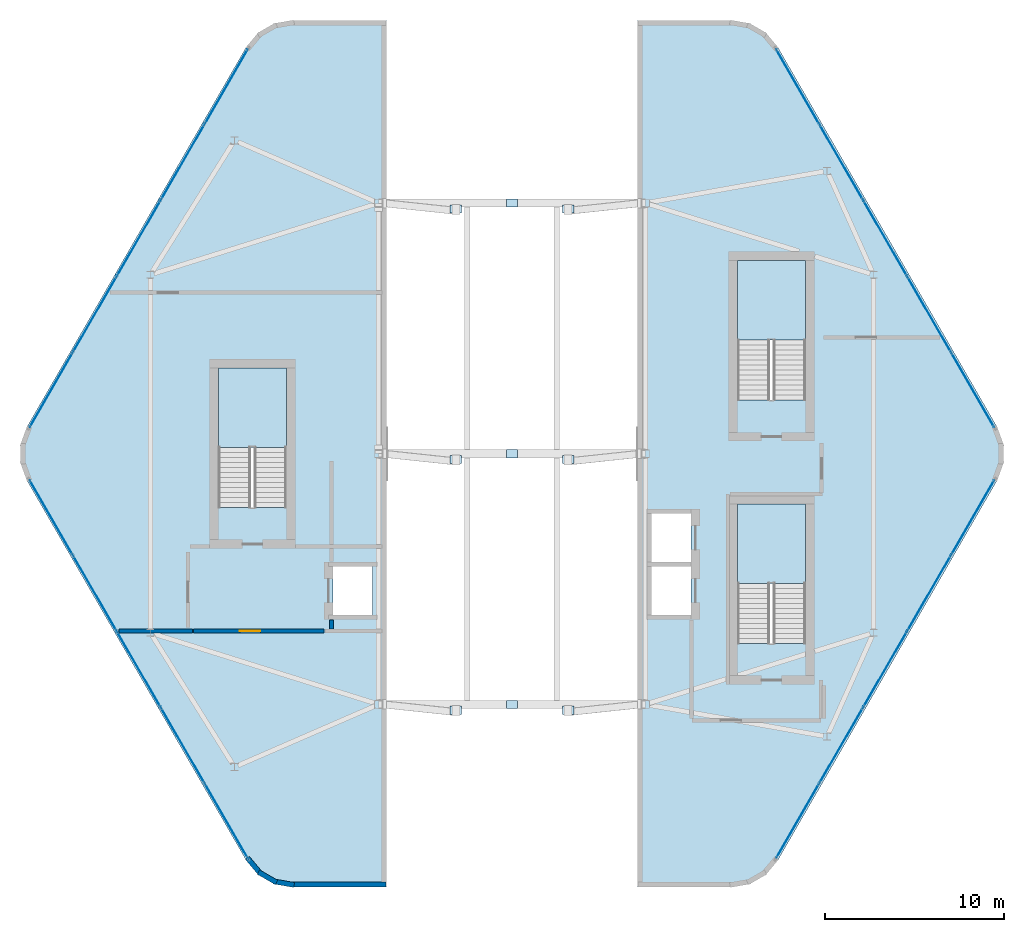
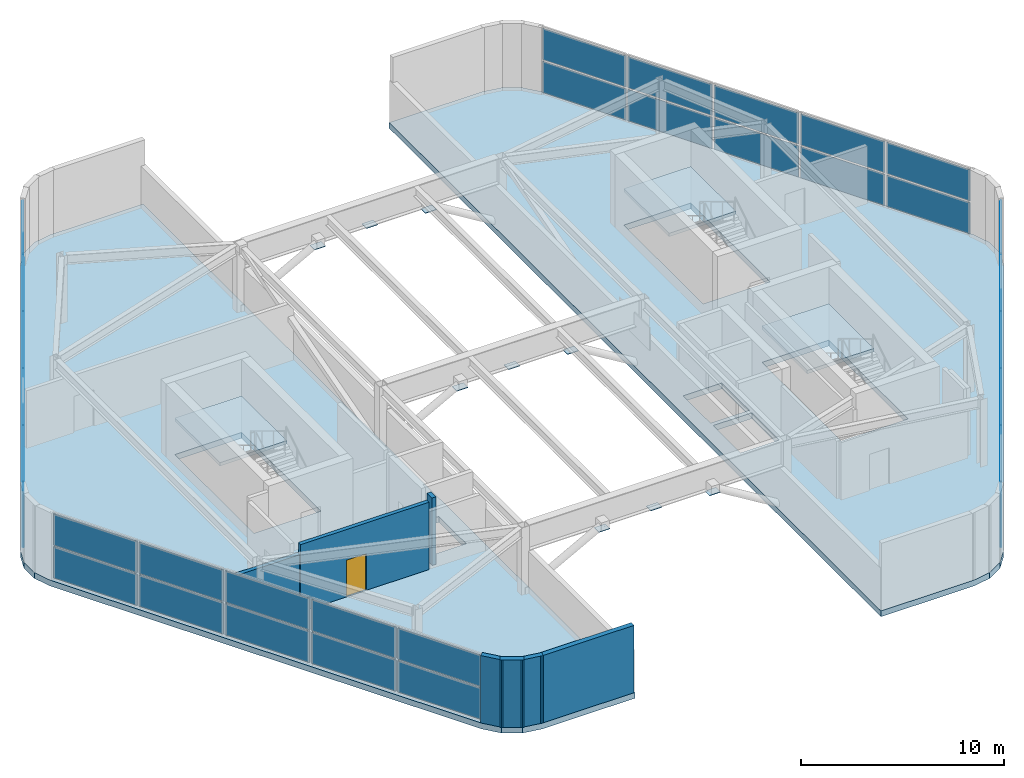
# One storey, part 13 of 16: 49 plates, 7 walls, 5 slabs, 1 door, 1 opening, 7 elements without a shape of their own.
"""IFC4 building model written with IfcOpenShell, lengths in metres."""

from ifc_helpers import new_model, si_unit, direction, frame, frame_2d, origin, origin_2d, place, context, subcontext, project, spatial, polyline, rectangle, outline, extrude, material, layer, layer_set, type_object, element, fill, aggregate, save


model = new_model("IFC4")

# Units and contexts
model_context = context("Model", 3, precision=1e-05, world=origin(), true_north=direction((0.0, 1.0)))
body_context = subcontext(model_context, "Body", "Model", "MODEL_VIEW")
ifc_project = project(units=[si_unit("LENGTHUNIT", "METRE"), si_unit("AREAUNIT", "SQUARE_METRE"), si_unit("VOLUMEUNIT", "CUBIC_METRE"), si_unit("PLANEANGLEUNIT", "RADIAN"), si_unit("MASSUNIT", "GRAM", prefix="KILO")], contexts=[model_context])

# Site, building, storey
site_placement = place(None, origin())
site = spatial("IfcSite", under=ifc_project, at=site_placement, CompositionType="ELEMENT")
building_placement = place(site_placement, origin())
building = spatial("IfcBuilding", under=site, at=building_placement, Name="Zuhravey Tower", CompositionType="ELEMENT")
storey_placement = place(building_placement, frame((0.0, 0.0, 374.60009765625)))
storey = spatial("IfcBuildingStorey", under=building, at=storey_placement, Name="L95", CompositionType="ELEMENT", Elevation=374.60009765625)

# Curtain wall, plates
ifc_material_1 = material(Name="Thermally broken anodised aluminium", Category="aluminium")
curtain_wall_type = type_object("IfcCurtainWallType", Name="Split-Top Crown Screened Curtain Wall CW6", PredefinedType="NOTDEFINED", material=ifc_material_1)
curtain_wall_1_placement = place(storey_placement, origin())
curtain_wall_1 = element("IfcCurtainWall", 1, at=curtain_wall_1_placement, inside=storey, type_object=curtain_wall_type, Name="L95 CW6 CW6-L95-WEST-04", PredefinedType="NOTDEFINED")
ifc_material_2 = material(Name="Bronze-anodised perforated girih aluminium", Category="aluminium")
ifc_layer_1 = layer(ifc_material_2, 0.035888671875)
ifc_layer_set_1 = layer_set([ifc_layer_1], Name="Bronze-anodised perforated girih aluminium")
plate_type_1 = type_object("IfcPlateType", Name="Girih Perforated Crown Panel", PredefinedType="CURTAIN_PANEL", material=ifc_layer_set_1)
plate_1_placement = place(storey_placement, frame((20.04443359375, 11.487548828125, 0.099853515625), z_axis=(0.0, 0.0, 1.0), x_axis=(-0.499997124838, 0.866027063754, 0.0)))
plate_1 = element("IfcPlate", 2, at=plate_1_placement, type_object=plate_type_1, Name="CW6 panel 1.1", PredefinedType="CURTAIN_PANEL", context=body_context, shape_type="SweptSolid", body=[
    extrude(rectangle(XDim=4.755859375, YDim=0.035888671875, at=origin_2d()), origin(), (0.0, 0.0, 1.0), 1.875),
])
plate_2_placement = place(storey_placement, frame((20.04443359375, 11.487548828125, 2.074951171875), z_axis=(0.0, 0.0, 1.0), x_axis=(-0.499997124838, 0.866027063754, 0.0)))
plate_2 = element("IfcPlate", 3, at=plate_2_placement, type_object=plate_type_1, Name="CW6 panel 1.2", PredefinedType="CURTAIN_PANEL", context=body_context, shape_type="SweptSolid", body=[
    extrude(rectangle(XDim=4.755859375, YDim=0.035888671875, at=origin_2d()), origin(), (0.0, 0.0, 1.0), 1.875),
])
plate_3_placement = place(storey_placement, frame((17.604248046875, 15.71435546875, 0.099853515625), z_axis=(0.0, 0.0, 1.0), x_axis=(-0.499997124838, 0.866027063754, 0.0)))
plate_3 = element("IfcPlate", 4, at=plate_3_placement, type_object=plate_type_1, Name="CW6 panel 2.1", PredefinedType="CURTAIN_PANEL", context=body_context, shape_type="SweptSolid", body=[
    extrude(rectangle(XDim=4.805908203125, YDim=0.035888671875, at=origin_2d()), origin(), (0.0, 0.0, 1.0), 1.875),
])
plate_4_placement = place(storey_placement, frame((17.604248046875, 15.71435546875, 2.074951171875), z_axis=(0.0, 0.0, 1.0), x_axis=(-0.499997124838, 0.866027063754, 0.0)))
plate_4 = element("IfcPlate", 5, at=plate_4_placement, type_object=plate_type_1, Name="CW6 panel 2.2", PredefinedType="CURTAIN_PANEL", context=body_context, shape_type="SweptSolid", body=[
    extrude(rectangle(XDim=4.805908203125, YDim=0.035888671875, at=origin_2d()), origin(), (0.0, 0.0, 1.0), 1.875),
])
plate_5_placement = place(storey_placement, frame((15.1513671875, 19.962890625, 0.099853515625), z_axis=(0.0, 0.0, 1.0), x_axis=(-0.499997124838, 0.866027063754, 0.0)))
plate_5 = element("IfcPlate", 6, at=plate_5_placement, type_object=plate_type_1, Name="CW6 panel 3.1", PredefinedType="CURTAIN_PANEL", context=body_context, shape_type="SweptSolid", body=[
    extrude(rectangle(XDim=4.805908203125, YDim=0.035888671875, at=origin_2d()), origin(), (0.0, 0.0, 1.0), 1.875),
])
plate_6_placement = place(storey_placement, frame((15.1513671875, 19.962890625, 2.074951171875), z_axis=(0.0, 0.0, 1.0), x_axis=(-0.499997124838, 0.866027063754, 0.0)))
plate_6 = element("IfcPlate", 7, at=plate_6_placement, type_object=plate_type_1, Name="CW6 panel 3.2", PredefinedType="CURTAIN_PANEL", context=body_context, shape_type="SweptSolid", body=[
    extrude(rectangle(XDim=4.805908203125, YDim=0.035888671875, at=origin_2d()), origin(), (0.0, 0.0, 1.0), 1.875),
])
plate_7_placement = place(storey_placement, frame((12.6982421875, 24.21142578125, 0.099853515625), z_axis=(0.0, 0.0, 1.0), x_axis=(-0.499997124838, 0.866027063754, 0.0)))
plate_7 = element("IfcPlate", 8, at=plate_7_placement, type_object=plate_type_1, Name="CW6 panel 4.1", PredefinedType="CURTAIN_PANEL", context=body_context, shape_type="SweptSolid", body=[
    extrude(rectangle(XDim=4.805908203125, YDim=0.035888671875, at=origin_2d()), origin(), (0.0, 0.0, 1.0), 1.875),
])
plate_8_placement = place(storey_placement, frame((12.6982421875, 24.21142578125, 2.074951171875), z_axis=(0.0, 0.0, 1.0), x_axis=(-0.499997124838, 0.866027063754, 0.0)))
plate_8 = element("IfcPlate", 9, at=plate_8_placement, type_object=plate_type_1, Name="CW6 panel 4.2", PredefinedType="CURTAIN_PANEL", context=body_context, shape_type="SweptSolid", body=[
    extrude(rectangle(XDim=4.805908203125, YDim=0.035888671875, at=origin_2d()), origin(), (0.0, 0.0, 1.0), 1.875),
])
plate_9_placement = place(storey_placement, frame((10.258056640625, 28.4384765625, 0.099853515625), z_axis=(0.0, 0.0, 1.0), x_axis=(-0.499997124838, 0.866027063754, 0.0)))
plate_9 = element("IfcPlate", 10, at=plate_9_placement, type_object=plate_type_1, Name="CW6 panel 5.1", PredefinedType="CURTAIN_PANEL", context=body_context, shape_type="SweptSolid", body=[
    extrude(rectangle(XDim=4.755859375, YDim=0.035888671875, at=origin_2d()), origin(), (0.0, 0.0, 1.0), 1.875),
])
plate_10_placement = place(storey_placement, frame((10.258056640625, 28.4384765625, 2.074951171875), z_axis=(0.0, 0.0, 1.0), x_axis=(-0.499997124838, 0.866027063754, 0.0)))
plate_10 = element("IfcPlate", 11, at=plate_10_placement, type_object=plate_type_1, Name="CW6 panel 5.2", PredefinedType="CURTAIN_PANEL", context=body_context, shape_type="SweptSolid", body=[
    extrude(rectangle(XDim=4.755859375, YDim=0.035888671875, at=origin_2d()), origin(), (0.0, 0.0, 1.0), 1.875),
])
aggregate(curtain_wall_1, [plate_1, plate_2, plate_3, plate_4, plate_5, plate_6, plate_7, plate_8, plate_9, plate_10])

curtain_wall_2_placement = place(storey_placement, origin())
curtain_wall_2 = element("IfcCurtainWall", 12, at=curtain_wall_2_placement, inside=storey, type_object=curtain_wall_type, Name="L95 CW6 CW6-L95-WEST-08", PredefinedType="NOTDEFINED")
plate_11_placement = place(storey_placement, frame((10.258056640625, 35.5615234375, 0.099853515625), z_axis=(0.0, 0.0, 1.0), x_axis=(0.499997124838, 0.866027063754, 0.0)))
plate_11 = element("IfcPlate", 13, at=plate_11_placement, type_object=plate_type_1, Name="CW6 panel 1.1", PredefinedType="CURTAIN_PANEL", context=body_context, shape_type="SweptSolid", body=[
    extrude(rectangle(XDim=4.755859375, YDim=0.035888671875, at=origin_2d()), origin(), (0.0, 0.0, 1.0), 1.875),
])
plate_12_placement = place(storey_placement, frame((10.258056640625, 35.5615234375, 2.074951171875), z_axis=(0.0, 0.0, 1.0), x_axis=(0.499997124838, 0.866027063754, 0.0)))
plate_12 = element("IfcPlate", 14, at=plate_12_placement, type_object=plate_type_1, Name="CW6 panel 1.2", PredefinedType="CURTAIN_PANEL", context=body_context, shape_type="SweptSolid", body=[
    extrude(rectangle(XDim=4.755859375, YDim=0.035888671875, at=origin_2d()), origin(), (0.0, 0.0, 1.0), 1.875),
])
plate_13_placement = place(storey_placement, frame((12.6982421875, 39.78857421875, 0.099853515625), z_axis=(0.0, 0.0, 1.0), x_axis=(0.499997124838, 0.866027063754, 0.0)))
plate_13 = element("IfcPlate", 15, at=plate_13_placement, type_object=plate_type_1, Name="CW6 panel 2.1", PredefinedType="CURTAIN_PANEL", context=body_context, shape_type="SweptSolid", body=[
    extrude(rectangle(XDim=4.805908203125, YDim=0.035888671875, at=origin_2d()), origin(), (0.0, 0.0, 1.0), 1.875),
])
plate_14_placement = place(storey_placement, frame((12.6982421875, 39.78857421875, 2.074951171875), z_axis=(0.0, 0.0, 1.0), x_axis=(0.499997124838, 0.866027063754, 0.0)))
plate_14 = element("IfcPlate", 16, at=plate_14_placement, type_object=plate_type_1, Name="CW6 panel 2.2", PredefinedType="CURTAIN_PANEL", context=body_context, shape_type="SweptSolid", body=[
    extrude(rectangle(XDim=4.805908203125, YDim=0.035888671875, at=origin_2d()), origin(), (0.0, 0.0, 1.0), 1.875),
])
plate_15_placement = place(storey_placement, frame((15.1513671875, 44.037109375, 0.099853515625), z_axis=(0.0, 0.0, 1.0), x_axis=(0.499997124838, 0.866027063754, 0.0)))
plate_15 = element("IfcPlate", 17, at=plate_15_placement, type_object=plate_type_1, Name="CW6 panel 3.1", PredefinedType="CURTAIN_PANEL", context=body_context, shape_type="SweptSolid", body=[
    extrude(rectangle(XDim=4.805908203125, YDim=0.035888671875, at=origin_2d()), origin(), (0.0, 0.0, 1.0), 1.875),
])
plate_16_placement = place(storey_placement, frame((15.1513671875, 44.037109375, 2.074951171875), z_axis=(0.0, 0.0, 1.0), x_axis=(0.499997124838, 0.866027063754, 0.0)))
plate_16 = element("IfcPlate", 18, at=plate_16_placement, type_object=plate_type_1, Name="CW6 panel 3.2", PredefinedType="CURTAIN_PANEL", context=body_context, shape_type="SweptSolid", body=[
    extrude(rectangle(XDim=4.805908203125, YDim=0.035888671875, at=origin_2d()), origin(), (0.0, 0.0, 1.0), 1.875),
])
plate_17_placement = place(storey_placement, frame((17.604248046875, 48.28564453125, 0.099853515625), z_axis=(0.0, 0.0, 1.0), x_axis=(0.499997124838, 0.866027063754, 0.0)))
plate_17 = element("IfcPlate", 19, at=plate_17_placement, type_object=plate_type_1, Name="CW6 panel 4.1", PredefinedType="CURTAIN_PANEL", context=body_context, shape_type="SweptSolid", body=[
    extrude(rectangle(XDim=4.805908203125, YDim=0.035888671875, at=origin_2d()), origin(), (0.0, 0.0, 1.0), 1.875),
])
plate_18_placement = place(storey_placement, frame((17.604248046875, 48.28564453125, 2.074951171875), z_axis=(0.0, 0.0, 1.0), x_axis=(0.499997124838, 0.866027063754, 0.0)))
plate_18 = element("IfcPlate", 20, at=plate_18_placement, type_object=plate_type_1, Name="CW6 panel 4.2", PredefinedType="CURTAIN_PANEL", context=body_context, shape_type="SweptSolid", body=[
    extrude(rectangle(XDim=4.805908203125, YDim=0.035888671875, at=origin_2d()), origin(), (0.0, 0.0, 1.0), 1.875),
])
plate_19_placement = place(storey_placement, frame((20.04443359375, 52.512451171875, 0.099853515625), z_axis=(0.0, 0.0, 1.0), x_axis=(0.499997124838, 0.866027063754, 0.0)))
plate_19 = element("IfcPlate", 21, at=plate_19_placement, type_object=plate_type_1, Name="CW6 panel 5.1", PredefinedType="CURTAIN_PANEL", context=body_context, shape_type="SweptSolid", body=[
    extrude(rectangle(XDim=4.755859375, YDim=0.035888671875, at=origin_2d()), origin(), (0.0, 0.0, 1.0), 1.875),
])
plate_20_placement = place(storey_placement, frame((20.04443359375, 52.512451171875, 2.074951171875), z_axis=(0.0, 0.0, 1.0), x_axis=(0.499997124838, 0.866027063754, 0.0)))
plate_20 = element("IfcPlate", 22, at=plate_20_placement, type_object=plate_type_1, Name="CW6 panel 5.2", PredefinedType="CURTAIN_PANEL", context=body_context, shape_type="SweptSolid", body=[
    extrude(rectangle(XDim=4.755859375, YDim=0.035888671875, at=origin_2d()), origin(), (0.0, 0.0, 1.0), 1.875),
])
aggregate(curtain_wall_2, [plate_11, plate_12, plate_13, plate_14, plate_15, plate_16, plate_17, plate_18, plate_19, plate_20])

curtain_wall_3_placement = place(storey_placement, origin())
curtain_wall_3 = element("IfcCurtainWall", 23, at=curtain_wall_3_placement, inside=storey, type_object=curtain_wall_type, Name="L95 CW6 CW6-L95-EAST-04", PredefinedType="NOTDEFINED")
plate_21_placement = place(storey_placement, frame((51.95556640625, 52.512451171875, 0.099853515625), z_axis=(0.0, 0.0, 1.0), x_axis=(0.499997124838, -0.866027063754, 0.0)))
plate_21 = element("IfcPlate", 24, at=plate_21_placement, type_object=plate_type_1, Name="CW6 panel 1.1", PredefinedType="CURTAIN_PANEL", context=body_context, shape_type="SweptSolid", body=[
    extrude(rectangle(XDim=4.755859375, YDim=0.035888671875, at=origin_2d()), origin(), (0.0, 0.0, 1.0), 1.875),
])
plate_22_placement = place(storey_placement, frame((51.95556640625, 52.512451171875, 2.074951171875), z_axis=(0.0, 0.0, 1.0), x_axis=(0.499997124838, -0.866027063754, 0.0)))
plate_22 = element("IfcPlate", 25, at=plate_22_placement, type_object=plate_type_1, Name="CW6 panel 1.2", PredefinedType="CURTAIN_PANEL", context=body_context, shape_type="SweptSolid", body=[
    extrude(rectangle(XDim=4.755859375, YDim=0.035888671875, at=origin_2d()), origin(), (0.0, 0.0, 1.0), 1.875),
])
plate_23_placement = place(storey_placement, frame((54.395751953125, 48.28564453125, 0.099853515625), z_axis=(0.0, 0.0, 1.0), x_axis=(0.499997124838, -0.866027063754, 0.0)))
plate_23 = element("IfcPlate", 26, at=plate_23_placement, type_object=plate_type_1, Name="CW6 panel 2.1", PredefinedType="CURTAIN_PANEL", context=body_context, shape_type="SweptSolid", body=[
    extrude(rectangle(XDim=4.805908203125, YDim=0.035888671875, at=origin_2d()), origin(), (0.0, 0.0, 1.0), 1.875),
])
plate_24_placement = place(storey_placement, frame((54.395751953125, 48.28564453125, 2.074951171875), z_axis=(0.0, 0.0, 1.0), x_axis=(0.499997124838, -0.866027063754, 0.0)))
plate_24 = element("IfcPlate", 27, at=plate_24_placement, type_object=plate_type_1, Name="CW6 panel 2.2", PredefinedType="CURTAIN_PANEL", context=body_context, shape_type="SweptSolid", body=[
    extrude(rectangle(XDim=4.805908203125, YDim=0.035888671875, at=origin_2d()), origin(), (0.0, 0.0, 1.0), 1.875),
])
plate_25_placement = place(storey_placement, frame((56.8486328125, 44.037109375, 0.099853515625), z_axis=(0.0, 0.0, 1.0), x_axis=(0.499997124838, -0.866027063754, 0.0)))
plate_25 = element("IfcPlate", 28, at=plate_25_placement, type_object=plate_type_1, Name="CW6 panel 3.1", PredefinedType="CURTAIN_PANEL", context=body_context, shape_type="SweptSolid", body=[
    extrude(rectangle(XDim=4.805908203125, YDim=0.035888671875, at=origin_2d()), origin(), (0.0, 0.0, 1.0), 1.875),
])
plate_26_placement = place(storey_placement, frame((56.8486328125, 44.037109375, 2.074951171875), z_axis=(0.0, 0.0, 1.0), x_axis=(0.499997124838, -0.866027063754, 0.0)))
plate_26 = element("IfcPlate", 29, at=plate_26_placement, type_object=plate_type_1, Name="CW6 panel 3.2", PredefinedType="CURTAIN_PANEL", context=body_context, shape_type="SweptSolid", body=[
    extrude(rectangle(XDim=4.805908203125, YDim=0.035888671875, at=origin_2d()), origin(), (0.0, 0.0, 1.0), 1.875),
])
plate_27_placement = place(storey_placement, frame((59.3017578125, 39.78857421875, 0.099853515625), z_axis=(0.0, 0.0, 1.0), x_axis=(0.499997124838, -0.866027063754, 0.0)))
plate_27 = element("IfcPlate", 30, at=plate_27_placement, type_object=plate_type_1, Name="CW6 panel 4.1", PredefinedType="CURTAIN_PANEL", context=body_context, shape_type="SweptSolid", body=[
    extrude(rectangle(XDim=4.805908203125, YDim=0.035888671875, at=origin_2d()), origin(), (0.0, 0.0, 1.0), 1.875),
])
plate_28_placement = place(storey_placement, frame((59.3017578125, 39.78857421875, 2.074951171875), z_axis=(0.0, 0.0, 1.0), x_axis=(0.499997124838, -0.866027063754, 0.0)))
plate_28 = element("IfcPlate", 31, at=plate_28_placement, type_object=plate_type_1, Name="CW6 panel 4.2", PredefinedType="CURTAIN_PANEL", context=body_context, shape_type="SweptSolid", body=[
    extrude(rectangle(XDim=4.805908203125, YDim=0.035888671875, at=origin_2d()), origin(), (0.0, 0.0, 1.0), 1.875),
])
plate_29_placement = place(storey_placement, frame((61.741943359375, 35.5615234375, 0.099853515625), z_axis=(0.0, 0.0, 1.0), x_axis=(0.499997124838, -0.866027063754, 0.0)))
plate_29 = element("IfcPlate", 32, at=plate_29_placement, type_object=plate_type_1, Name="CW6 panel 5.1", PredefinedType="CURTAIN_PANEL", context=body_context, shape_type="SweptSolid", body=[
    extrude(rectangle(XDim=4.755859375, YDim=0.035888671875, at=origin_2d()), origin(), (0.0, 0.0, 1.0), 1.875),
])
plate_30_placement = place(storey_placement, frame((61.741943359375, 35.5615234375, 2.074951171875), z_axis=(0.0, 0.0, 1.0), x_axis=(0.499997124838, -0.866027063754, 0.0)))
plate_30 = element("IfcPlate", 33, at=plate_30_placement, type_object=plate_type_1, Name="CW6 panel 5.2", PredefinedType="CURTAIN_PANEL", context=body_context, shape_type="SweptSolid", body=[
    extrude(rectangle(XDim=4.755859375, YDim=0.035888671875, at=origin_2d()), origin(), (0.0, 0.0, 1.0), 1.875),
])
aggregate(curtain_wall_3, [plate_21, plate_22, plate_23, plate_24, plate_25, plate_26, plate_27, plate_28, plate_29, plate_30])

curtain_wall_4_placement = place(storey_placement, origin())
curtain_wall_4 = element("IfcCurtainWall", 34, at=curtain_wall_4_placement, inside=storey, type_object=curtain_wall_type, Name="L95 CW6 CW6-L95-EAST-08", PredefinedType="NOTDEFINED")
plate_31_placement = place(storey_placement, frame((61.741943359375, 28.4384765625, 0.099853515625), z_axis=(0.0, 0.0, 1.0), x_axis=(-0.499997124838, -0.866027063754, 0.0)))
plate_31 = element("IfcPlate", 35, at=plate_31_placement, type_object=plate_type_1, Name="CW6 panel 1.1", PredefinedType="CURTAIN_PANEL", context=body_context, shape_type="SweptSolid", body=[
    extrude(rectangle(XDim=4.755859375, YDim=0.035888671875, at=origin_2d()), origin(), (0.0, 0.0, 1.0), 1.875),
])
plate_32_placement = place(storey_placement, frame((61.741943359375, 28.4384765625, 2.074951171875), z_axis=(0.0, 0.0, 1.0), x_axis=(-0.499997124838, -0.866027063754, 0.0)))
plate_32 = element("IfcPlate", 36, at=plate_32_placement, type_object=plate_type_1, Name="CW6 panel 1.2", PredefinedType="CURTAIN_PANEL", context=body_context, shape_type="SweptSolid", body=[
    extrude(rectangle(XDim=4.755859375, YDim=0.035888671875, at=origin_2d()), origin(), (0.0, 0.0, 1.0), 1.875),
])
plate_33_placement = place(storey_placement, frame((59.3017578125, 24.21142578125, 0.099853515625), z_axis=(0.0, 0.0, 1.0), x_axis=(-0.499997124838, -0.866027063754, 0.0)))
plate_33 = element("IfcPlate", 37, at=plate_33_placement, type_object=plate_type_1, Name="CW6 panel 2.1", PredefinedType="CURTAIN_PANEL", context=body_context, shape_type="SweptSolid", body=[
    extrude(rectangle(XDim=4.805908203125, YDim=0.035888671875, at=origin_2d()), origin(), (0.0, 0.0, 1.0), 1.875),
])
plate_34_placement = place(storey_placement, frame((59.3017578125, 24.21142578125, 2.074951171875), z_axis=(0.0, 0.0, 1.0), x_axis=(-0.499997124838, -0.866027063754, 0.0)))
plate_34 = element("IfcPlate", 38, at=plate_34_placement, type_object=plate_type_1, Name="CW6 panel 2.2", PredefinedType="CURTAIN_PANEL", context=body_context, shape_type="SweptSolid", body=[
    extrude(rectangle(XDim=4.805908203125, YDim=0.035888671875, at=origin_2d()), origin(), (0.0, 0.0, 1.0), 1.875),
])
plate_35_placement = place(storey_placement, frame((56.8486328125, 19.962890625, 0.099853515625), z_axis=(0.0, 0.0, 1.0), x_axis=(-0.499997124838, -0.866027063754, 0.0)))
plate_35 = element("IfcPlate", 39, at=plate_35_placement, type_object=plate_type_1, Name="CW6 panel 3.1", PredefinedType="CURTAIN_PANEL", context=body_context, shape_type="SweptSolid", body=[
    extrude(rectangle(XDim=4.805908203125, YDim=0.035888671875, at=origin_2d()), origin(), (0.0, 0.0, 1.0), 1.875),
])
plate_36_placement = place(storey_placement, frame((56.8486328125, 19.962890625, 2.074951171875), z_axis=(0.0, 0.0, 1.0), x_axis=(-0.499997124838, -0.866027063754, 0.0)))
plate_36 = element("IfcPlate", 40, at=plate_36_placement, type_object=plate_type_1, Name="CW6 panel 3.2", PredefinedType="CURTAIN_PANEL", context=body_context, shape_type="SweptSolid", body=[
    extrude(rectangle(XDim=4.805908203125, YDim=0.035888671875, at=origin_2d()), origin(), (0.0, 0.0, 1.0), 1.875),
])
plate_37_placement = place(storey_placement, frame((54.395751953125, 15.71435546875, 0.099853515625), z_axis=(0.0, 0.0, 1.0), x_axis=(-0.499997124838, -0.866027063754, 0.0)))
plate_37 = element("IfcPlate", 41, at=plate_37_placement, type_object=plate_type_1, Name="CW6 panel 4.1", PredefinedType="CURTAIN_PANEL", context=body_context, shape_type="SweptSolid", body=[
    extrude(rectangle(XDim=4.805908203125, YDim=0.035888671875, at=origin_2d()), origin(), (0.0, 0.0, 1.0), 1.875),
])
plate_38_placement = place(storey_placement, frame((54.395751953125, 15.71435546875, 2.074951171875), z_axis=(0.0, 0.0, 1.0), x_axis=(-0.499997124838, -0.866027063754, 0.0)))
plate_38 = element("IfcPlate", 42, at=plate_38_placement, type_object=plate_type_1, Name="CW6 panel 4.2", PredefinedType="CURTAIN_PANEL", context=body_context, shape_type="SweptSolid", body=[
    extrude(rectangle(XDim=4.805908203125, YDim=0.035888671875, at=origin_2d()), origin(), (0.0, 0.0, 1.0), 1.875),
])
plate_39_placement = place(storey_placement, frame((51.95556640625, 11.487548828125, 0.099853515625), z_axis=(0.0, 0.0, 1.0), x_axis=(-0.499997124838, -0.866027063754, 0.0)))
plate_39 = element("IfcPlate", 43, at=plate_39_placement, type_object=plate_type_1, Name="CW6 panel 5.1", PredefinedType="CURTAIN_PANEL", context=body_context, shape_type="SweptSolid", body=[
    extrude(rectangle(XDim=4.755859375, YDim=0.035888671875, at=origin_2d()), origin(), (0.0, 0.0, 1.0), 1.875),
])
plate_40_placement = place(storey_placement, frame((51.95556640625, 11.487548828125, 2.074951171875), z_axis=(0.0, 0.0, 1.0), x_axis=(-0.499997124838, -0.866027063754, 0.0)))
plate_40 = element("IfcPlate", 44, at=plate_40_placement, type_object=plate_type_1, Name="CW6 panel 5.2", PredefinedType="CURTAIN_PANEL", context=body_context, shape_type="SweptSolid", body=[
    extrude(rectangle(XDim=4.755859375, YDim=0.035888671875, at=origin_2d()), origin(), (0.0, 0.0, 1.0), 1.875),
])
aggregate(curtain_wall_4, [plate_31, plate_32, plate_33, plate_34, plate_35, plate_36, plate_37, plate_38, plate_39, plate_40])

# Slabs
ifc_material_3 = material(Name="Concrete C50/60", Category="concrete")
ifc_layer_2 = layer(ifc_material_3, 0.35009765625)
ifc_layer_set_2 = layer_set([ifc_layer_2], Name="Concrete C50/60")
slab_type_1 = type_object("IfcSlabType", Name="Refuge & Plant Heavy Slab 350", PredefinedType="FLOOR", material=ifc_layer_set_2)
slab_1_placement = place(storey_placement, frame((0.0, 0.0, -0.35009765625)))
element("IfcSlab", 45, at=slab_1_placement, inside=storey, type_object=slab_type_1, Name="L95 West Crest Floor Slab PS35", PredefinedType="FLOOR", context=body_context, shape_type="SweptSolid", body=[
    extrude(outline(polyline([(23.72314453125, 7.785888671875), (22.714111328125, 7.9638671875), (21.826904296875, 8.47607421875), (21.16845703125, 9.260986328125), (8.8916015625, 30.52490234375), (8.541259765625, 31.48779296875), (8.541259765625, 32.51220703125), (8.8916015625, 33.47509765625), (21.16845703125, 54.739013671875), (21.826904296875, 55.52392578125), (22.714111328125, 56.0361328125), (23.72314453125, 56.214111328125), (29.0, 56.214111328125), (29.0, 7.785888671875), (23.72314453125, 7.785888671875)]), holes=[polyline([(23.39990234375, 29.000732421875), (23.39990234375, 36.800048828125), (19.60009765625, 36.800048828125), (19.60009765625, 29.000732421875), (23.39990234375, 29.000732421875)]), polyline([(26.0, 23.0), (28.199951171875, 23.0), (28.199951171875, 25.699951171875), (26.0, 25.699951171875), (26.0, 23.0)])]), origin(), (0.0, 0.0, 1.0), 0.35009765625),
])
slab_2_placement = place(storey_placement, frame((0.0, 0.0, -0.35009765625)))
element("IfcSlab", 46, at=slab_2_placement, inside=storey, type_object=slab_type_1, Name="L95 East Crest Floor Slab PS35", PredefinedType="FLOOR", context=body_context, shape_type="SweptSolid", body=[
    extrude(outline(polyline([(48.27685546875, 56.214111328125), (49.285888671875, 56.0361328125), (50.173095703125, 55.52392578125), (50.83154296875, 54.739013671875), (63.1083984375, 33.47509765625), (63.458740234375, 32.51220703125), (63.458740234375, 31.48779296875), (63.1083984375, 30.52490234375), (50.83154296875, 9.260986328125), (50.173095703125, 8.47607421875), (49.285888671875, 7.9638671875), (48.27685546875, 7.785888671875), (43.0, 7.785888671875), (43.0, 56.214111328125), (48.27685546875, 56.214111328125)]), holes=[polyline([(52.39990234375, 21.400634765625), (52.39990234375, 29.199951171875), (48.60009765625, 29.199951171875), (48.60009765625, 21.400634765625), (52.39990234375, 21.400634765625)]), polyline([(52.39990234375, 35.000732421875), (52.39990234375, 42.800048828125), (48.60009765625, 42.800048828125), (48.60009765625, 35.000732421875), (52.39990234375, 35.000732421875)]), polyline([(43.800048828125, 23.0), (46.0, 23.0), (46.0, 25.699951171875), (43.800048828125, 25.699951171875), (43.800048828125, 23.0)]), polyline([(43.800048828125, 25.949951171875), (46.0, 25.949951171875), (46.0, 28.64990234375), (43.800048828125, 28.64990234375), (43.800048828125, 25.949951171875)])]), origin(), (0.0, 0.0, 1.0), 0.35009765625),
])

# Stair, slab
ifc_material_4 = material(Name="Concrete C40/50", Category="concrete")
stair_type = type_object("IfcStairType", Name="Crown Storey Stair Assembly 4400", PredefinedType="HALF_TURN_STAIR", material=ifc_material_4)
stair_1_placement = place(storey_placement, origin())
stair_1 = element("IfcStair", 47, at=stair_1_placement, inside=storey, type_object=stair_type, Name="L95 West Crest Stair CST1", PredefinedType="HALF_TURN_STAIR")
ifc_layer_3 = layer(ifc_material_4, 0.199951171875)
ifc_layer_set_3 = layer_set([ifc_layer_3], Name="Concrete C40/50")
slab_type_2 = type_object("IfcSlabType", Name="Stair Landing Slab 200", PredefinedType="LANDING", material=ifc_layer_set_3)
slab_3_placement = place(storey_placement, frame((0.0, 0.0, 2.0)))
slab_3 = element("IfcSlab", 48, at=slab_3_placement, type_object=slab_type_2, Name="CST1 landing 1", PredefinedType="LANDING", context=body_context, shape_type="SweptSolid", body=[
    extrude(outline(polyline([(23.39990234375, 32.360107421875), (23.39990234375, 36.800048828125), (19.60009765625, 36.800048828125), (19.60009765625, 32.360107421875), (23.39990234375, 32.360107421875)])), origin(), (0.0, 0.0, 1.0), 0.199951171875),
])
aggregate(stair_1, [slab_3])

stair_2_placement = place(storey_placement, origin())
stair_2 = element("IfcStair", 49, at=stair_2_placement, inside=storey, type_object=stair_type, Name="L95 East Crest South Stair CST2", PredefinedType="HALF_TURN_STAIR")
slab_4_placement = place(storey_placement, frame((0.0, 0.0, 2.0)))
slab_4 = element("IfcSlab", 50, at=slab_4_placement, type_object=slab_type_2, Name="CST2 landing 1", PredefinedType="LANDING", context=body_context, shape_type="SweptSolid", body=[
    extrude(outline(polyline([(52.39990234375, 24.760009765625), (52.39990234375, 29.199951171875), (48.60009765625, 29.199951171875), (48.60009765625, 24.760009765625), (52.39990234375, 24.760009765625)])), origin(), (0.0, 0.0, 1.0), 0.199951171875),
])
aggregate(stair_2, [slab_4])

stair_3_placement = place(storey_placement, origin())
stair_3 = element("IfcStair", 51, at=stair_3_placement, inside=storey, type_object=stair_type, Name="L95 East Crest North Stair CST3", PredefinedType="HALF_TURN_STAIR")
slab_5_placement = place(storey_placement, frame((0.0, 0.0, 2.0)))
slab_5 = element("IfcSlab", 52, at=slab_5_placement, type_object=slab_type_2, Name="CST3 landing 1", PredefinedType="LANDING", context=body_context, shape_type="SweptSolid", body=[
    extrude(outline(polyline([(52.39990234375, 38.360107421875), (52.39990234375, 42.800048828125), (48.60009765625, 42.800048828125), (48.60009765625, 38.360107421875), (52.39990234375, 38.360107421875)])), origin(), (0.0, 0.0, 1.0), 0.199951171875),
])
aggregate(stair_3, [slab_5])

# Plates
ifc_material_5 = material(Name="Steel SM460", Category="steel")
ifc_layer_4 = layer(ifc_material_5, 0.028076171875)
ifc_layer_set_4 = layer_set([ifc_layer_4], Name="Steel SM460")
plate_type_2 = type_object("IfcPlateType", Name="Wind-Portal Saddle Node Plate ND8", PredefinedType="SHEET", material=ifc_layer_set_4)
for number, where, z_axis, x_axis, name in (
    (53, (36.0, 18.0, 2.51220703125), (0.0, 0.0, 1.0), (1.0, 0.0, 0.0), "L95 Wind-Portal Arch Apex Plate ND8-1"),
    (54, (32.85009765625, 17.675048828125, 2.51220703125), (0.0, 0.0, 1.0), (1.0, 0.0, 0.0), "L95 Wind-Portal Knee Node Plate ND8-1W"),
    (55, (39.14990234375, 17.675048828125, 2.51220703125), (0.0, 0.0, 1.0), (1.0, 0.0, 0.0), "L95 Wind-Portal Knee Node Plate ND8-1E"),
    (56, (36.0, 32.0, 2.51220703125), (0.0, 0.0, 1.0), (1.0, 0.0, 0.0), "L95 Wind-Portal Arch Apex Plate ND8-2"),
    (57, (32.85009765625, 31.675048828125, 2.51220703125), (0.0, 0.0, 1.0), (1.0, 0.0, 0.0), "L95 Wind-Portal Knee Node Plate ND8-2W"),
    (58, (39.14990234375, 31.675048828125, 2.51220703125), (0.0, 0.0, 1.0), (1.0, 0.0, 0.0), "L95 Wind-Portal Knee Node Plate ND8-2E"),
    (59, (36.0, 46.0, 2.51220703125), (0.0, 0.0, 1.0), (1.0, 0.0, 0.0), "L95 Wind-Portal Arch Apex Plate ND8-3"),
    (60, (32.85009765625, 45.675048828125, 2.51220703125), (0.0, 0.0, 1.0), (1.0, 0.0, 0.0), "L95 Wind-Portal Knee Node Plate ND8-3W"),
    (61, (39.14990234375, 45.675048828125, 2.51220703125), (0.0, 0.0, 1.0), (1.0, 0.0, 0.0), "L95 Wind-Portal Knee Node Plate ND8-3E"),
):
    element("IfcPlate", number, at=place(storey_placement, frame(where, z_axis=z_axis, x_axis=x_axis)), inside=storey, type_object=plate_type_2, Name=name, PredefinedType="SHEET", context=body_context, shape_type="SweptSolid", body=[
        extrude(rectangle(XDim=0.639892578125, YDim=0.4599609375, at=origin_2d()), origin(), (0.0, 0.0, 1.0), 0.028076171875),
    ])

# Walls
ifc_material_6 = material(Name="Precast concrete C40/50", Category="concrete")
ifc_layer_5 = layer(ifc_material_6, 0.280029296875)
ifc_layer_set_5 = layer_set([ifc_layer_5], Name="Precast concrete C40/50")
wall_type_1 = type_object("IfcWallType", Name="Crown Architectural Wall 280", PredefinedType="SOLIDWALL", material=ifc_layer_set_5)
wall_1_placement = place(storey_placement, frame((23.8291015625, 7.909423828125, 0.0), z_axis=(0.0, 0.0, 1.0), x_axis=(-0.984798162481, 0.173702559495, 0.0)))
element("IfcWall", 62, at=wall_1_placement, inside=storey, type_object=wall_type_1, Name="L95 WEST Crest Wall EW28-01", PredefinedType="SOLIDWALL", context=body_context, shape_type="SweptSolid", body=[
    extrude(rectangle(XDim=1.177734375, YDim=0.280029296875, at=frame_2d((0.5888671875, 0.0))), origin(), (0.0, 0.0, 1.0), 4.0498046875),
])
wall_2_placement = place(storey_placement, frame((22.84521484375, 8.0498046875, 0.0), z_axis=(0.0, 0.0, 1.0), x_axis=(-0.865951785477, 0.500127488975, 0.0)))
element("IfcWall", 63, at=wall_2_placement, inside=storey, type_object=wall_type_1, Name="L95 WEST Crest Wall EW28-02", PredefinedType="SOLIDWALL", context=body_context, shape_type="SweptSolid", body=[
    extrude(rectangle(XDim=1.165283203125, YDim=0.280029296875, at=frame_2d((0.58251953125, 0.0))), origin(), (0.0, 0.0, 1.0), 4.0498046875),
])
wall_3_placement = place(storey_placement, frame((21.9794921875, 8.51220703125, 0.0), z_axis=(0.0, 0.0, 1.0), x_axis=(-0.642851701012, 0.765990659542, 0.0)))
element("IfcWall", 64, at=wall_3_placement, inside=storey, type_object=wall_type_1, Name="L95 WEST Crest Wall EW28-03", PredefinedType="SOLIDWALL", context=body_context, shape_type="SweptSolid", body=[
    extrude(rectangle(XDim=1.177734375, YDim=0.280029296875, at=frame_2d((0.5888671875, 0.0))), origin(), (0.0, 0.0, 1.0), 4.0498046875),
])
wall_4_placement = place(storey_placement, frame((28.955078125, 7.92578125, 0.0), z_axis=(0.0, 0.0, 1.0), x_axis=(-1.0, 0.0, 0.0)))
element("IfcWall", 65, at=wall_4_placement, inside=storey, type_object=wall_type_1, Name="L95 WEST Crest Wall EW28-14", PredefinedType="SOLIDWALL", context=body_context, shape_type="SweptSolid", body=[
    extrude(rectangle(XDim=5.314697265625, YDim=0.280029296875, at=frame_2d((2.6572265625, 0.0))), origin(), (0.0, 0.0, 1.0), 4.0498046875),
])

# Wall, opening, door
ifc_material_7 = material(Name="Gypsum acoustic stud assembly")
ifc_layer_6 = layer(ifc_material_7, 0.219970703125)
ifc_layer_set_6 = layer_set([ifc_layer_6], Name="Gypsum acoustic stud assembly")
wall_type_2 = type_object("IfcWallType", Name="School Acoustic Compartment Wall 220", PredefinedType="PARTITIONING", material=ifc_layer_set_6)
wall_5_placement = place(storey_placement, frame((18.199951171875, 22.10009765625, 0.0), z_axis=(0.0, 0.0, 1.0), x_axis=(1.0, 0.0, 0.0)))
wall_5 = element("IfcWall", 66, at=wall_5_placement, inside=storey, type_object=wall_type_2, Name="L95 IW22 Partition 009", PredefinedType="PARTITIONING", context=body_context, shape_type="SweptSolid", body=[
    extrude(rectangle(XDim=7.300048828125, YDim=0.219970703125, at=frame_2d((3.64990234375, 0.0))), origin(), (0.0, 0.0, 1.0), 4.0498046875),
])
opening_placement = place(wall_5_placement, frame((2.60009765625, 0.0, 0.0)))
opening = element("IfcOpeningElement", 67, at=opening_placement, cuts=wall_5, Name="Opening CLD1", PredefinedType="OPENING", context=body_context, shape_type="SweptSolid", body=[
    extrude(rectangle(XDim=1.14990234375, YDim=2.199951171875, at=frame_2d((0.574951171875, 1.10009765625))), frame((0.0, 0.1220703125, 0.0), z_axis=(0.0, -1.0, 0.0), x_axis=(1.0, 0.0, 0.0)), (0.0, 0.0, 1.0), 0.243896484375),
])
ifc_material_8 = material(Name="Acoustic timber leaf with vision lite", Category="wood")
door_type = type_object("IfcDoorType", Name="Classroom Acoustic Door 1150x2200", OperationType="NOTDEFINED", PredefinedType="DOOR", material=ifc_material_8)
door_placement = place(opening_placement, frame((1.14990234375, 0.0, 0.0), z_axis=(0.0, 0.0, 1.0), x_axis=(-1.0, 0.0, 0.0)))
door = element("IfcDoor", 68, at=door_placement, inside=storey, type_object=door_type, Name="L95 High-Zone Booster Pump Plant Door", OperationType="SINGLE_SWING_LEFT", OverallHeight=2.199951171875, OverallWidth=1.14990234375, PredefinedType="DOOR", context=body_context, shape_type="SweptSolid", body=[
    extrude(rectangle(XDim=1.14990234375, YDim=2.199951171875, at=frame_2d((0.574951171875, 1.10009765625))), frame((0.0, 0.02490234375, 0.0), z_axis=(0.0, -1.0, 0.0), x_axis=(1.0, 0.0, 0.0)), (0.0, 0.0, 1.0), 0.050048828125),
])
fill(opening, door)

# Walls
wall_6_placement = place(storey_placement, frame((14.055908203125, 22.10009765625, 0.0), z_axis=(0.0, 0.0, 1.0), x_axis=(1.0, 0.0, 0.0)))
element("IfcWall", 69, at=wall_6_placement, inside=storey, type_object=wall_type_2, Name="L95 IW22 Partition 014", PredefinedType="PARTITIONING", context=body_context, shape_type="SweptSolid", body=[
    extrude(rectangle(XDim=4.093994140625, YDim=0.219970703125, at=frame_2d((2.046875, 0.0))), origin(), (0.0, 0.0, 1.0), 3.469970703125),
])
wall_7_placement = place(storey_placement, frame((25.919921875, 22.218017578125, 0.0), z_axis=(0.0, 0.0, 1.0), x_axis=(0.0, 1.0, 0.0)))
element("IfcWall", 70, at=wall_7_placement, inside=storey, type_object=wall_type_2, Name="L95 IW22 Partition 020", PredefinedType="PARTITIONING", context=body_context, shape_type="SweptSolid", body=[
    extrude(rectangle(XDim=0.4931640625, YDim=0.219970703125, at=frame_2d((0.24658203125, 0.0))), origin(), (0.0, 0.0, 1.0), 4.0498046875),
])

save(model, "model.ifc")
